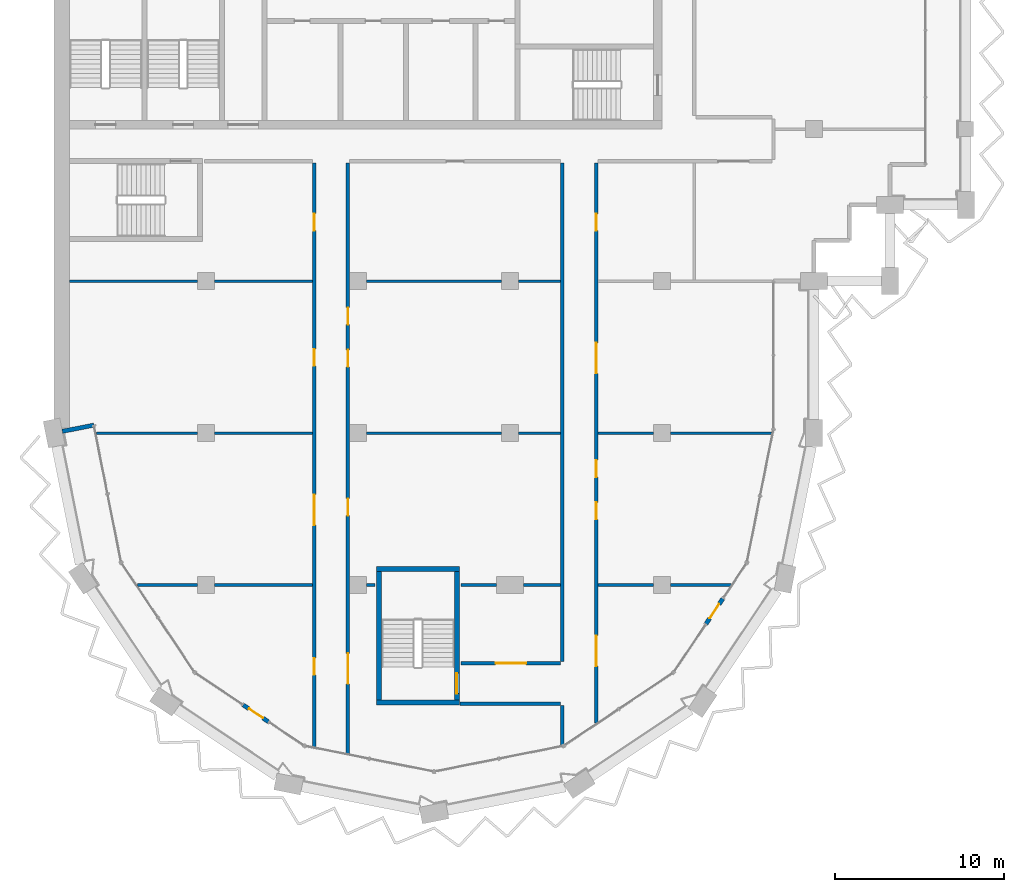
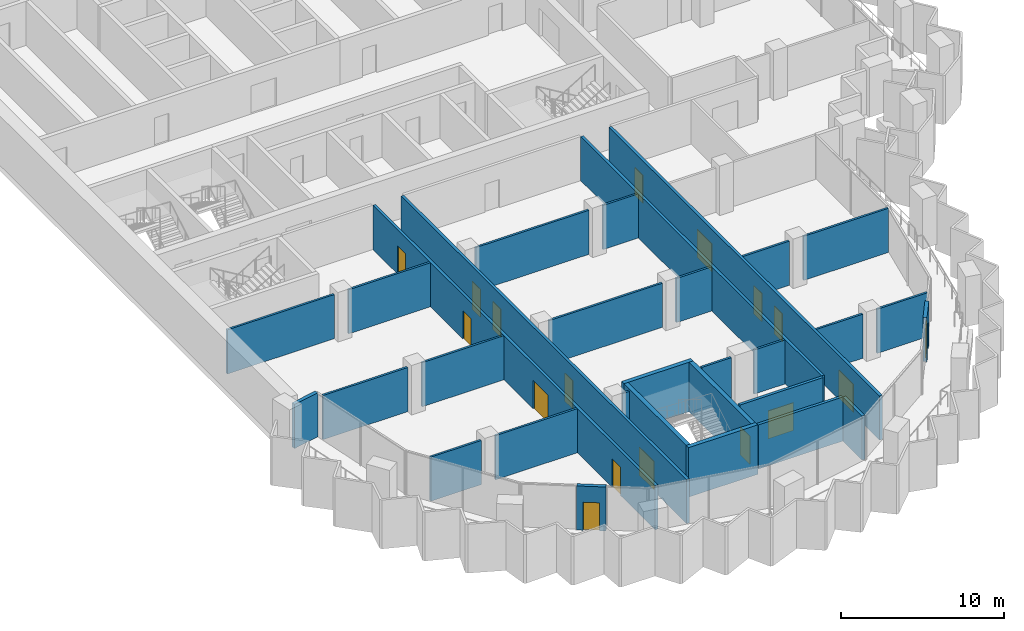
# One storey, part 7 of 16: 31 walls, 17 doors, 17 openings.
"""IFC4 building model written with IfcOpenShell, lengths in metres."""

import ifcopenshell
import ifcopenshell.guid

model = None  # the IFC model being written
_history = None  # IfcOwnerHistory: only IFC2X3 demands one
_inside = {}  # id of a spatial element -> (the spatial element, [elements in it])
_under = {}  # id of a project, library or spatial element -> (it, [spatial elements below it])
_declared = {}  # id of a project -> (the project, [libraries it declares])
_typed = {}  # id of a type object -> (the type object, [elements of that type])
_made_of = {}  # id of a material, layer set ... -> (it, [elements and type objects made of it])


def new_model(schema):
    """Start an empty IFC model of exactly this schema.

    Asked for "IFC4X3", IfcOpenShell would pick the latest addendum, in which some entities
    have other attributes; the version numbers below select the first issue.
    IFC2X3 requires an IfcOwnerHistory on every rooted entity: one is made here for all.
    """
    global model, _history
    if schema == "IFC4X3":
        model = ifcopenshell.file(schema_version=(4, 3, 0, 0))
    else:
        model = ifcopenshell.file(schema=schema)
    _inside.clear()
    _under.clear()
    _declared.clear()
    _typed.clear()
    _made_of.clear()
    _history = None
    if model.schema == "IFC2X3":
        org = make("IfcOrganization", Name="unknown")
        user = make(
            "IfcPersonAndOrganization",
            ThePerson=make("IfcPerson", FamilyName="unknown"),
            TheOrganization=org,
        )
        app = make(
            "IfcApplication",
            ApplicationDeveloper=org,
            Version="unknown",
            ApplicationFullName="unknown",
            ApplicationIdentifier="unknown",
        )
        _history = make(
            "IfcOwnerHistory",
            OwningUser=user,
            OwningApplication=app,
            ChangeAction="ADDED",
            CreationDate=0,
        )
    return model


def make(cls, **values):
    """One entity of the class cls with the attributes given. An attribute that is None is left unset."""
    return model.create_entity(
        cls, **{name: value for name, value in values.items() if value is not None}
    )


def rooted(cls, **values):
    """An entity with a GlobalId (a new one), such as an element, a storey or a relation."""
    return make(cls, GlobalId=ifcopenshell.guid.new(), OwnerHistory=_history, **values)


def si_unit(unit_type, name, prefix=None):
    """IfcSIUnit, for example si_unit("LENGTHUNIT", "METRE", prefix="MILLI")."""
    return make("IfcSIUnit", UnitType=unit_type, Prefix=prefix, Name=name)


def assignment(units):
    """IfcUnitAssignment: the units of a project."""
    return None if units is None else make("IfcUnitAssignment", Units=units)


def point(xyz):
    """IfcCartesianPoint."""
    return None if xyz is None else make("IfcCartesianPoint", Coordinates=xyz)


def direction(xyz):
    """IfcDirection."""
    return None if xyz is None else make("IfcDirection", DirectionRatios=xyz)


def frame(location, z_axis=None, x_axis=None):
    """IfcAxis2Placement3D, a coordinate frame: its origin and axes. An axis left out is left unset."""
    return make(
        "IfcAxis2Placement3D",
        Location=point(location),
        Axis=direction(z_axis),
        RefDirection=direction(x_axis),
    )


def frame_2d(location, x_axis=None):
    """IfcAxis2Placement2D, a coordinate frame in the plane: its origin and x axis."""
    return make(
        "IfcAxis2Placement2D", Location=point(location), RefDirection=direction(x_axis)
    )


def origin():
    """The frame at (0, 0, 0) with its axes left unset."""
    return frame((0.0, 0.0, 0.0))


def place(relative_to, where):
    """IfcLocalPlacement: puts the frame where relative to a parent placement (None: the world)."""
    return make(
        "IfcLocalPlacement", PlacementRelTo=relative_to, RelativePlacement=where
    )


def context(
    kind, dimensions, precision=None, world=None, true_north=None, identifier=None
):
    """IfcGeometricRepresentationContext, for example the 3D "Model" context."""
    return make(
        "IfcGeometricRepresentationContext",
        ContextIdentifier=identifier,
        ContextType=kind,
        CoordinateSpaceDimension=dimensions,
        Precision=precision,
        WorldCoordinateSystem=world,
        TrueNorth=true_north,
    )


def subcontext(parent, identifier, kind, view, scale=None):
    """IfcGeometricRepresentationSubContext, for example "Body" below "Model"."""
    return make(
        "IfcGeometricRepresentationSubContext",
        ContextIdentifier=identifier,
        ContextType=kind,
        ParentContext=parent,
        TargetScale=scale,
        TargetView=view,
    )


def project(units=None, contexts=None):
    """IfcProject with its units and contexts."""
    return rooted(
        "IfcProject",
        Name="project",
        RepresentationContexts=contexts,
        UnitsInContext=assignment(units),
    )


def spatial(cls, under=None, at=None, **own):
    """A site, building, storey or space (cls), placed at a placement, below another one or the project."""
    s = rooted(cls, ObjectPlacement=at, **own)
    if under is not None:
        _under.setdefault(under.id(), (under, []))[1].append(s)
    return s


def profile(cls, at=None, kind="AREA", **sizes):
    """A parametric profile (cls). Its sizes go by their IFC names, for example OverallWidth=200.0."""
    return make(cls, ProfileType=kind, Position=at, **sizes)


def rectangle(**sizes):
    """IfcRectangleProfileDef."""
    return profile("IfcRectangleProfileDef", **sizes)


def extrude(swept, where, along, depth):
    """IfcExtrudedAreaSolid: the profile swept, set in the frame where, extruded along a direction by depth."""
    return make(
        "IfcExtrudedAreaSolid",
        SweptArea=swept,
        Position=where,
        ExtrudedDirection=direction(along),
        Depth=depth,
    )


def shape(context_of_items, identifier, shape_type, items):
    """IfcShapeRepresentation: the items that make up one representation, for example the "Body"."""
    return make(
        "IfcShapeRepresentation",
        ContextOfItems=context_of_items,
        RepresentationIdentifier=identifier,
        RepresentationType=shape_type,
        Items=items,
    )


def material(Name=None, Category=None):
    """IfcMaterial."""
    return make("IfcMaterial", Name=Name, Category=Category)


def layer(
    of_material, thickness, ventilated=None, Name=None, Category=None, Priority=None
):
    """IfcMaterialLayer: one layer of a wall or slab, of a material (None: an air gap)."""
    return make(
        "IfcMaterialLayer",
        Material=of_material,
        LayerThickness=thickness,
        IsVentilated=ventilated,
        Name=Name,
        Category=Category,
        Priority=Priority,
    )


def layer_set(layers, Name=None):
    """IfcMaterialLayerSet."""
    return make("IfcMaterialLayerSet", MaterialLayers=layers, LayerSetName=Name)


def made_of(thing, what):
    """Note that an element or type object is made of a material, layer set ...; save() writes the relation."""
    if what is not None:
        _made_of.setdefault(what.id(), (what, []))[1].append(thing)
    return thing


def type_object(cls, material=None, **own):
    """A type object (cls), such as IfcWallType, which elements share."""
    return made_of(rooted(cls, **own), material)


def element(
    cls,
    number,
    at=None,
    inside=None,
    cuts=None,
    type_object=None,
    material=None,
    context=None,
    identifier="Body",
    shape_type=None,
    held_by="IfcProductDefinitionShape",
    body=None,
    shapes=None,
    **own,
):
    """One element of the class cls, such as IfcWall. Its Tag is "e" and its number.

    at: its placement. inside: the storey or other place that contains it. cuts: it is an
    opening in that element (IfcRelVoidsElement). A single representation is given by context,
    identifier, shape_type and body (its items); several are given by shapes. held_by: the class
    of the entity that holds the representations. save() writes the other relations.
    """
    e = rooted(cls, Tag="e%d" % number, ObjectPlacement=at, **own)
    if body is not None:
        shapes = [shape(context, identifier, shape_type, body)]
    if shapes is not None:
        e.Representation = make(held_by, Representations=shapes)
    if inside is not None:
        _inside.setdefault(inside.id(), (inside, []))[1].append(e)
    if cuts is not None:
        rooted(
            "IfcRelVoidsElement", RelatingBuildingElement=cuts, RelatedOpeningElement=e
        )
    if type_object is not None:
        _typed.setdefault(type_object.id(), (type_object, []))[1].append(e)
    return made_of(e, material)


def fill(opening, filler):
    """IfcRelFillsElement: the door or window that sits in an opening."""
    return rooted(
        "IfcRelFillsElement",
        RelatingOpeningElement=opening,
        RelatedBuildingElement=filler,
    )


def aggregate(whole, parts):
    """IfcRelAggregates: a whole, such as a stair, and the parts it consists of."""
    return rooted("IfcRelAggregates", RelatingObject=whole, RelatedObjects=parts)


def save(model, path):
    """Write the relations noted so far, then the file.

    IfcRelAggregates (storeys below a building ...), IfcRelContainedInSpatialStructure (elements
    in a storey), IfcRelDefinesByType, IfcRelAssociatesMaterial and IfcRelDeclares: one each for
    every whole, place, type object, material and project.
    """
    for whole, parts in _under.values():
        aggregate(whole, parts)
    for where, things in _inside.values():
        rooted(
            "IfcRelContainedInSpatialStructure",
            RelatedElements=things,
            RelatingStructure=where,
        )
    for kind, things in _typed.values():
        rooted("IfcRelDefinesByType", RelatedObjects=things, RelatingType=kind)
    for what, things in _made_of.values():
        rooted("IfcRelAssociatesMaterial", RelatedObjects=things, RelatingMaterial=what)
    for by, libraries in _declared.values():
        rooted("IfcRelDeclares", RelatingContext=by, RelatedDefinitions=libraries)
    model.write(path)


model = new_model("IFC4")

# Units and contexts
model_context = context("Model", 3, precision=1e-05, world=origin(), true_north=direction((0.0, 1.0)))
body_context = subcontext(model_context, "Body", "Model", "MODEL_VIEW")
ifc_project = project(units=[si_unit("LENGTHUNIT", "METRE"), si_unit("AREAUNIT", "SQUARE_METRE"), si_unit("VOLUMEUNIT", "CUBIC_METRE"), si_unit("PLANEANGLEUNIT", "RADIAN"), si_unit("MASSUNIT", "GRAM", prefix="KILO")], contexts=[model_context])

# Site, building, storey
site_placement = place(None, origin())
site = spatial("IfcSite", under=ifc_project, at=site_placement, CompositionType="ELEMENT")
building_placement = place(site_placement, origin())
building = spatial("IfcBuilding", under=site, at=building_placement, Name="Hunhe Ridgeline Campus", CompositionType="ELEMENT")
storey_placement = place(building_placement, frame((0.0, 0.0, 242.89990234375)))
storey = spatial("IfcBuildingStorey", under=building, at=storey_placement, Name="L62", CompositionType="ELEMENT", Elevation=242.89990234375)

# Walls
ifc_material_1 = material(Name="Concrete C30", Category="concrete")
ifc_layer_1 = layer(ifc_material_1, 0.25)
ifc_layer_set_1 = layer_set([ifc_layer_1], Name="Corner return wall 250 Concrete C30")
wall_type_1 = type_object("IfcWallType", Name="Corner return wall 250 Concrete C30", PredefinedType="SOLIDWALL", material=ifc_layer_set_1)
wall_1_placement = place(storey_placement, frame((0.490234375, 45.098388671875, 0.0), z_axis=(0.0, 0.0, 1.0), x_axis=(0.980836699013, 0.194831644939, 0.0)))
element("IfcWall", 1, at=wall_1_placement, inside=storey, type_object=wall_type_1, Name="Corner return wall 1", PredefinedType="SOLIDWALL", context=body_context, shape_type="SweptSolid", body=[
    extrude(rectangle(XDim=1.90087890625, YDim=0.25, at=frame_2d((0.950439453125, 0.0))), origin(), (0.0, 0.0, 1.0), 3.300048828125),
])
ifc_material_2 = material(Name="Gypsum board partition")
ifc_layer_2 = layer(ifc_material_2, 0.199951171875)
ifc_layer_set_2 = layer_set([ifc_layer_2], Name="Corridor partition 200 gypsum board on steel studs")
wall_type_2 = type_object("IfcWallType", Name="Corridor partition 200 gypsum board on steel studs", PredefinedType="PARTITIONING", material=ifc_layer_set_2)
wall_2_placement = place(storey_placement, frame((30.0, 28.97509765625, 0.0), z_axis=(0.0, 0.0, 1.0), x_axis=(-1.0, 0.0, 0.0)))
element("IfcWall", 2, at=wall_2_placement, inside=storey, type_object=wall_type_2, Name="F-L62-wall-001", PredefinedType="PARTITIONING", context=body_context, shape_type="SweptSolid", body=[
    extrude(rectangle(XDim=5.969970703125, YDim=0.199951171875, at=frame_2d((2.98486328125, 0.0))), origin(), (0.0, 0.0, 1.0), 3.300048828125),
])

# Wall, opening, door
wall_3_placement = place(storey_placement, frame((24.10400390625, 31.375, 0.0), z_axis=(0.0, 0.0, 1.0), x_axis=(1.0, 0.0, 0.0)))
wall_3 = element("IfcWall", 3, at=wall_3_placement, inside=storey, type_object=wall_type_2, Name="F-L62-wall-002", PredefinedType="PARTITIONING", context=body_context, shape_type="SweptSolid", body=[
    extrude(rectangle(XDim=5.89599609375, YDim=0.199951171875, at=frame_2d((2.947998046875, 0.0))), origin(), (0.0, 0.0, 1.0), 3.300048828125),
])
opening_1_placement = place(wall_3_placement, frame((2.048095703125, 0.0, 0.0)))
opening_1 = element("IfcOpeningElement", 4, at=opening_1_placement, cuts=wall_3, Name="Opening RD2-003", PredefinedType="OPENING", context=body_context, shape_type="SweptSolid", body=[
    extrude(rectangle(XDim=1.800048828125, YDim=2.10009765625, at=frame_2d((0.89990234375, 1.050048828125))), frame((0.0, 0.10009765625, 0.0), z_axis=(0.0, -1.0, 0.0), x_axis=(1.0, 0.0, 0.0)), (0.0, 0.0, 1.0), 0.199951171875),
])
ifc_material_3 = material(Name="Timber door leaf", Category="wood")
door_type_1 = type_object("IfcDoorType", Name="Double fire door 1800x2100 timber FD60", OperationType="DOUBLE_DOOR_SINGLE_SWING", PredefinedType="DOOR", material=ifc_material_3)
door_1_placement = place(opening_1_placement, origin())
door_1 = element("IfcDoor", 5, at=door_1_placement, inside=storey, type_object=door_type_1, Name="F-L62-door-003", OperationType="DOUBLE_DOOR_SINGLE_SWING", OverallHeight=2.10009765625, OverallWidth=1.800048828125, PredefinedType="DOOR", context=body_context, shape_type="SweptSolid", body=[
    extrude(rectangle(XDim=1.800048828125, YDim=2.10009765625, at=frame_2d((0.89990234375, 1.050048828125))), frame((0.0, 0.02490234375, 0.0), z_axis=(0.0, -1.0, 0.0), x_axis=(1.0, 0.0, 0.0)), (0.0, 0.0, 1.0), 0.050048828125),
])
fill(opening_1, door_1)

# Wall, openings, doors
wall_4_placement = place(storey_placement, frame((15.39990234375, 26.415283203125, 0.0), z_axis=(0.0, 0.0, 1.0), x_axis=(0.0, 1.0, 0.0)))
wall_4 = element("IfcWall", 6, at=wall_4_placement, inside=storey, type_object=wall_type_2, Name="F-L62-wall-033", PredefinedType="PARTITIONING", context=body_context, shape_type="SweptSolid", body=[
    extrude(rectangle(XDim=34.584716796875, YDim=0.199951171875, at=frame_2d((17.29248046875, 0.0))), origin(), (0.0, 0.0, 1.0), 3.300048828125),
])
opening_2_placement = place(wall_4_placement, frame((4.26171875, 0.0, 0.0)))
opening_2 = element("IfcOpeningElement", 7, at=opening_2_placement, cuts=wall_4, Name="Opening RD1-002", PredefinedType="OPENING", context=body_context, shape_type="SweptSolid", body=[
    extrude(rectangle(XDim=1.0, YDim=2.10009765625, at=frame_2d((0.5, 1.050048828125))), frame((0.0, 0.10009765625, 0.0), z_axis=(0.0, -1.0, 0.0), x_axis=(1.0, 0.0, 0.0)), (0.0, 0.0, 1.0), 0.199951171875),
])
opening_3_placement = place(wall_4_placement, frame((13.13427734375, 0.0, 0.0)))
opening_3 = element("IfcOpeningElement", 8, at=opening_3_placement, cuts=wall_4, Name="Opening RD2-005", PredefinedType="OPENING", context=body_context, shape_type="SweptSolid", body=[
    extrude(rectangle(XDim=1.800048828125, YDim=2.10009765625, at=frame_2d((0.89990234375, 1.050048828125))), frame((0.0, 0.10009765625, 0.0), z_axis=(0.0, -1.0, 0.0), x_axis=(1.0, 0.0, 0.0)), (0.0, 0.0, 1.0), 0.199951171875),
])
opening_4_placement = place(wall_4_placement, frame((22.556396484375, 0.0, 0.0)))
opening_4 = element("IfcOpeningElement", 9, at=opening_4_placement, cuts=wall_4, Name="Opening RD1-011", PredefinedType="OPENING", context=body_context, shape_type="SweptSolid", body=[
    extrude(rectangle(XDim=1.0, YDim=2.10009765625, at=frame_2d((0.5, 1.050048828125))), frame((0.0, 0.10009765625, 0.0), z_axis=(0.0, -1.0, 0.0), x_axis=(1.0, 0.0, 0.0)), (0.0, 0.0, 1.0), 0.199951171875),
])
opening_5_placement = place(wall_4_placement, frame((30.575927734375, 0.0, 0.0)))
opening_5 = element("IfcOpeningElement", 10, at=opening_5_placement, cuts=wall_4, Name="Opening RD1-013", PredefinedType="OPENING", context=body_context, shape_type="SweptSolid", body=[
    extrude(rectangle(XDim=1.0, YDim=2.10009765625, at=frame_2d((0.5, 1.050048828125))), frame((0.0, 0.10009765625, 0.0), z_axis=(0.0, -1.0, 0.0), x_axis=(1.0, 0.0, 0.0)), (0.0, 0.0, 1.0), 0.199951171875),
])
door_2_placement = place(opening_3_placement, origin())
door_2 = element("IfcDoor", 11, at=door_2_placement, inside=storey, type_object=door_type_1, Name="F-L62-door-005", OperationType="DOUBLE_DOOR_SINGLE_SWING", OverallHeight=2.10009765625, OverallWidth=1.800048828125, PredefinedType="DOOR", context=body_context, shape_type="SweptSolid", body=[
    extrude(rectangle(XDim=1.800048828125, YDim=2.10009765625, at=frame_2d((0.89990234375, 1.050048828125))), frame((0.0, 0.02490234375, 0.0), z_axis=(0.0, -1.0, 0.0), x_axis=(1.0, 0.0, 0.0)), (0.0, 0.0, 1.0), 0.050048828125),
])
fill(opening_3, door_2)
door_type_2 = type_object("IfcDoorType", Name="Single fire door 1000x2100 timber FD60", OperationType="NOTDEFINED", PredefinedType="DOOR", material=ifc_material_3)
door_3_placement = place(opening_2_placement, origin())
door_3 = element("IfcDoor", 12, at=door_3_placement, inside=storey, type_object=door_type_2, Name="F-L62-door-002", OperationType="SINGLE_SWING_RIGHT", OverallHeight=2.10009765625, OverallWidth=1.0, PredefinedType="DOOR", context=body_context, shape_type="SweptSolid", body=[
    extrude(rectangle(XDim=1.0, YDim=2.10009765625, at=frame_2d((0.5, 1.050048828125))), frame((0.0, 0.02490234375, 0.0), z_axis=(0.0, -1.0, 0.0), x_axis=(1.0, 0.0, 0.0)), (0.0, 0.0, 1.0), 0.050048828125),
])
fill(opening_2, door_3)
door_4_placement = place(opening_4_placement, origin())
door_4 = element("IfcDoor", 13, at=door_4_placement, inside=storey, type_object=door_type_2, Name="F-L62-door-011", OperationType="SINGLE_SWING_RIGHT", OverallHeight=2.10009765625, OverallWidth=1.0, PredefinedType="DOOR", context=body_context, shape_type="SweptSolid", body=[
    extrude(rectangle(XDim=1.0, YDim=2.10009765625, at=frame_2d((0.5, 1.050048828125))), frame((0.0, 0.02490234375, 0.0), z_axis=(0.0, -1.0, 0.0), x_axis=(1.0, 0.0, 0.0)), (0.0, 0.0, 1.0), 0.050048828125),
])
fill(opening_4, door_4)
door_5_placement = place(opening_5_placement, origin())
door_5 = element("IfcDoor", 14, at=door_5_placement, inside=storey, type_object=door_type_2, Name="F-L62-door-013", OperationType="SINGLE_SWING_RIGHT", OverallHeight=2.10009765625, OverallWidth=1.0, PredefinedType="DOOR", context=body_context, shape_type="SweptSolid", body=[
    extrude(rectangle(XDim=1.0, YDim=2.10009765625, at=frame_2d((0.5, 1.050048828125))), frame((0.0, 0.02490234375, 0.0), z_axis=(0.0, -1.0, 0.0), x_axis=(1.0, 0.0, 0.0)), (0.0, 0.0, 1.0), 0.050048828125),
])
fill(opening_5, door_5)

wall_5_placement = place(storey_placement, frame((17.39990234375, 61.0, 0.0), z_axis=(0.0, 0.0, 1.0), x_axis=(0.0, -1.0, 0.0)))
wall_5 = element("IfcWall", 15, at=wall_5_placement, inside=storey, type_object=wall_type_2, Name="F-L62-wall-034", PredefinedType="PARTITIONING", context=body_context, shape_type="SweptSolid", body=[
    extrude(rectangle(XDim=34.982421875, YDim=0.199951171875, at=frame_2d((17.4912109375, 0.0))), origin(), (0.0, 0.0, 1.0), 3.300048828125),
])
opening_6_placement = place(wall_5_placement, frame((29.049072265625, 0.0, 0.0)))
opening_6 = element("IfcOpeningElement", 16, at=opening_6_placement, cuts=wall_5, Name="Opening RD2-001", PredefinedType="OPENING", context=body_context, shape_type="SweptSolid", body=[
    extrude(rectangle(XDim=1.800048828125, YDim=2.10009765625, at=frame_2d((0.89990234375, 1.050048828125))), frame((0.0, 0.10009765625, 0.0), z_axis=(0.0, -1.0, 0.0), x_axis=(1.0, 0.0, 0.0)), (0.0, 0.0, 1.0), 0.199951171875),
])
opening_7_placement = place(wall_5_placement, frame((19.885498046875, 0.0, 0.0)))
opening_7 = element("IfcOpeningElement", 17, at=opening_7_placement, cuts=wall_5, Name="Opening RD1-007", PredefinedType="OPENING", context=body_context, shape_type="SweptSolid", body=[
    extrude(rectangle(XDim=1.0, YDim=2.10009765625, at=frame_2d((0.5, 1.050048828125))), frame((0.0, 0.10009765625, 0.0), z_axis=(0.0, -1.0, 0.0), x_axis=(1.0, 0.0, 0.0)), (0.0, 0.0, 1.0), 0.199951171875),
])
opening_8_placement = place(wall_5_placement, frame((11.076904296875, 0.0, 0.0)))
opening_8 = element("IfcOpeningElement", 18, at=opening_8_placement, cuts=wall_5, Name="Opening RD1-009", PredefinedType="OPENING", context=body_context, shape_type="SweptSolid", body=[
    extrude(rectangle(XDim=1.0, YDim=2.10009765625, at=frame_2d((0.5, 1.050048828125))), frame((0.0, 0.10009765625, 0.0), z_axis=(0.0, -1.0, 0.0), x_axis=(1.0, 0.0, 0.0)), (0.0, 0.0, 1.0), 0.199951171875),
])
opening_9_placement = place(wall_5_placement, frame((8.576904296875, 0.0, 0.0)))
opening_9 = element("IfcOpeningElement", 19, at=opening_9_placement, cuts=wall_5, Name="Opening RD1-012", PredefinedType="OPENING", context=body_context, shape_type="SweptSolid", body=[
    extrude(rectangle(XDim=1.0, YDim=2.10009765625, at=frame_2d((0.5, 1.050048828125))), frame((0.0, 0.10009765625, 0.0), z_axis=(0.0, -1.0, 0.0), x_axis=(1.0, 0.0, 0.0)), (0.0, 0.0, 1.0), 0.199951171875),
])
door_6_placement = place(opening_6_placement, origin())
door_6 = element("IfcDoor", 20, at=door_6_placement, inside=storey, type_object=door_type_1, Name="F-L62-door-001", OperationType="DOUBLE_DOOR_SINGLE_SWING", OverallHeight=2.10009765625, OverallWidth=1.800048828125, PredefinedType="DOOR", context=body_context, shape_type="SweptSolid", body=[
    extrude(rectangle(XDim=1.800048828125, YDim=2.10009765625, at=frame_2d((0.89990234375, 1.050048828125))), frame((0.0, 0.02490234375, 0.0), z_axis=(0.0, -1.0, 0.0), x_axis=(1.0, 0.0, 0.0)), (0.0, 0.0, 1.0), 0.050048828125),
])
fill(opening_6, door_6)
door_7_placement = place(opening_7_placement, origin())
door_7 = element("IfcDoor", 21, at=door_7_placement, inside=storey, type_object=door_type_2, Name="F-L62-door-007", OperationType="SINGLE_SWING_RIGHT", OverallHeight=2.10009765625, OverallWidth=1.0, PredefinedType="DOOR", context=body_context, shape_type="SweptSolid", body=[
    extrude(rectangle(XDim=1.0, YDim=2.10009765625, at=frame_2d((0.5, 1.050048828125))), frame((0.0, 0.02490234375, 0.0), z_axis=(0.0, -1.0, 0.0), x_axis=(1.0, 0.0, 0.0)), (0.0, 0.0, 1.0), 0.050048828125),
])
fill(opening_7, door_7)
door_8_placement = place(opening_8_placement, frame((1.0, 0.0, 0.0), z_axis=(0.0, 0.0, 1.0), x_axis=(-1.0, 0.0, 0.0)))
door_8 = element("IfcDoor", 22, at=door_8_placement, inside=storey, type_object=door_type_2, Name="F-L62-door-009", OperationType="SINGLE_SWING_RIGHT", OverallHeight=2.10009765625, OverallWidth=1.0, PredefinedType="DOOR", context=body_context, shape_type="SweptSolid", body=[
    extrude(rectangle(XDim=1.0, YDim=2.10009765625, at=frame_2d((0.5, 1.050048828125))), frame((0.0, 0.02490234375, 0.0), z_axis=(0.0, -1.0, 0.0), x_axis=(1.0, 0.0, 0.0)), (0.0, 0.0, 1.0), 0.050048828125),
])
fill(opening_8, door_8)
door_9_placement = place(opening_9_placement, frame((1.0, 0.0, 0.0), z_axis=(0.0, 0.0, 1.0), x_axis=(-1.0, 0.0, 0.0)))
door_9 = element("IfcDoor", 23, at=door_9_placement, inside=storey, type_object=door_type_2, Name="F-L62-door-012", OperationType="SINGLE_SWING_RIGHT", OverallHeight=2.10009765625, OverallWidth=1.0, PredefinedType="DOOR", context=body_context, shape_type="SweptSolid", body=[
    extrude(rectangle(XDim=1.0, YDim=2.10009765625, at=frame_2d((0.5, 1.050048828125))), frame((0.0, 0.02490234375, 0.0), z_axis=(0.0, -1.0, 0.0), x_axis=(1.0, 0.0, 0.0)), (0.0, 0.0, 1.0), 0.050048828125),
])
fill(opening_9, door_9)

# Walls
wall_6_placement = place(storey_placement, frame((30.10009765625, 26.514892578125, 0.0), z_axis=(0.0, 0.0, 1.0), x_axis=(0.0, 1.0, 0.0)))
element("IfcWall", 24, at=wall_6_placement, inside=storey, type_object=wall_type_2, Name="F-L62-wall-035", PredefinedType="PARTITIONING", context=body_context, shape_type="SweptSolid", body=[
    extrude(rectangle(XDim=2.360107421875, YDim=0.199951171875, at=frame_2d((1.18017578125, 0.0))), origin(), (0.0, 0.0, 1.0), 3.300048828125),
])
wall_7_placement = place(storey_placement, frame((30.10009765625, 31.47509765625, 0.0), z_axis=(0.0, 0.0, 1.0), x_axis=(0.0, 1.0, 0.0)))
element("IfcWall", 25, at=wall_7_placement, inside=storey, type_object=wall_type_2, Name="F-L62-wall-036", PredefinedType="PARTITIONING", context=body_context, shape_type="SweptSolid", body=[
    extrude(rectangle(XDim=29.52490234375, YDim=0.199951171875, at=frame_2d((14.762451171875, 0.0))), origin(), (0.0, 0.0, 1.0), 3.300048828125),
])

# Wall, openings, doors
wall_8_placement = place(storey_placement, frame((32.10009765625, 61.0, 0.0), z_axis=(0.0, 0.0, 1.0), x_axis=(0.0, -1.0, 0.0)))
wall_8 = element("IfcWall", 26, at=wall_8_placement, inside=storey, type_object=wall_type_2, Name="F-L62-wall-037", PredefinedType="PARTITIONING", context=body_context, shape_type="SweptSolid", body=[
    extrude(rectangle(XDim=33.17333984375, YDim=0.199951171875, at=frame_2d((16.586669921875, 0.0))), origin(), (0.0, 0.0, 1.0), 3.300048828125),
])
opening_10_placement = place(wall_8_placement, frame((28.001220703125, 0.0, 0.0)))
opening_10 = element("IfcOpeningElement", 27, at=opening_10_placement, cuts=wall_8, Name="Opening RD2-004", PredefinedType="OPENING", context=body_context, shape_type="SweptSolid", body=[
    extrude(rectangle(XDim=1.800048828125, YDim=2.10009765625, at=frame_2d((0.89990234375, 1.050048828125))), frame((0.0, 0.10009765625, 0.0), z_axis=(0.0, -1.0, 0.0), x_axis=(1.0, 0.0, 0.0)), (0.0, 0.0, 1.0), 0.199951171875),
])
opening_11_placement = place(wall_8_placement, frame((20.107666015625, 0.0, 0.0)))
opening_11 = element("IfcOpeningElement", 28, at=opening_11_placement, cuts=wall_8, Name="Opening RD1-006", PredefinedType="OPENING", context=body_context, shape_type="SweptSolid", body=[
    extrude(rectangle(XDim=1.0, YDim=2.10009765625, at=frame_2d((0.5, 1.050048828125))), frame((0.0, 0.10009765625, 0.0), z_axis=(0.0, -1.0, 0.0), x_axis=(1.0, 0.0, 0.0)), (0.0, 0.0, 1.0), 0.199951171875),
])
opening_12_placement = place(wall_8_placement, frame((17.607666015625, 0.0, 0.0)))
opening_12 = element("IfcOpeningElement", 29, at=opening_12_placement, cuts=wall_8, Name="Opening RD1-008", PredefinedType="OPENING", context=body_context, shape_type="SweptSolid", body=[
    extrude(rectangle(XDim=1.0, YDim=2.10009765625, at=frame_2d((0.5, 1.050048828125))), frame((0.0, 0.10009765625, 0.0), z_axis=(0.0, -1.0, 0.0), x_axis=(1.0, 0.0, 0.0)), (0.0, 0.0, 1.0), 0.199951171875),
])
opening_13_placement = place(wall_8_placement, frame((10.660400390625, 0.0, 0.0)))
opening_13 = element("IfcOpeningElement", 30, at=opening_13_placement, cuts=wall_8, Name="Opening RD2-010", PredefinedType="OPENING", context=body_context, shape_type="SweptSolid", body=[
    extrude(rectangle(XDim=1.800048828125, YDim=2.10009765625, at=frame_2d((0.89990234375, 1.050048828125))), frame((0.0, 0.10009765625, 0.0), z_axis=(0.0, -1.0, 0.0), x_axis=(1.0, 0.0, 0.0)), (0.0, 0.0, 1.0), 0.199951171875),
])
opening_14_placement = place(wall_8_placement, frame((3.018310546875, 0.0, 0.0)))
opening_14 = element("IfcOpeningElement", 31, at=opening_14_placement, cuts=wall_8, Name="Opening RD1-014", PredefinedType="OPENING", context=body_context, shape_type="SweptSolid", body=[
    extrude(rectangle(XDim=1.0, YDim=2.10009765625, at=frame_2d((0.5, 1.050048828125))), frame((0.0, 0.10009765625, 0.0), z_axis=(0.0, -1.0, 0.0), x_axis=(1.0, 0.0, 0.0)), (0.0, 0.0, 1.0), 0.199951171875),
])
door_10_placement = place(opening_10_placement, origin())
door_10 = element("IfcDoor", 32, at=door_10_placement, inside=storey, type_object=door_type_1, Name="F-L62-door-004", OperationType="DOUBLE_DOOR_SINGLE_SWING", OverallHeight=2.10009765625, OverallWidth=1.800048828125, PredefinedType="DOOR", context=body_context, shape_type="SweptSolid", body=[
    extrude(rectangle(XDim=1.800048828125, YDim=2.10009765625, at=frame_2d((0.89990234375, 1.050048828125))), frame((0.0, 0.02490234375, 0.0), z_axis=(0.0, -1.0, 0.0), x_axis=(1.0, 0.0, 0.0)), (0.0, 0.0, 1.0), 0.050048828125),
])
fill(opening_10, door_10)
door_11_placement = place(opening_13_placement, origin())
door_11 = element("IfcDoor", 33, at=door_11_placement, inside=storey, type_object=door_type_1, Name="F-L62-door-010", OperationType="DOUBLE_DOOR_SINGLE_SWING", OverallHeight=2.10009765625, OverallWidth=1.800048828125, PredefinedType="DOOR", context=body_context, shape_type="SweptSolid", body=[
    extrude(rectangle(XDim=1.800048828125, YDim=2.10009765625, at=frame_2d((0.89990234375, 1.050048828125))), frame((0.0, 0.02490234375, 0.0), z_axis=(0.0, -1.0, 0.0), x_axis=(1.0, 0.0, 0.0)), (0.0, 0.0, 1.0), 0.050048828125),
])
fill(opening_13, door_11)
door_12_placement = place(opening_11_placement, frame((1.0, 0.0, 0.0), z_axis=(0.0, 0.0, 1.0), x_axis=(-1.0, 0.0, 0.0)))
door_12 = element("IfcDoor", 34, at=door_12_placement, inside=storey, type_object=door_type_2, Name="F-L62-door-006", OperationType="SINGLE_SWING_RIGHT", OverallHeight=2.10009765625, OverallWidth=1.0, PredefinedType="DOOR", context=body_context, shape_type="SweptSolid", body=[
    extrude(rectangle(XDim=1.0, YDim=2.10009765625, at=frame_2d((0.5, 1.050048828125))), frame((0.0, 0.02490234375, 0.0), z_axis=(0.0, -1.0, 0.0), x_axis=(1.0, 0.0, 0.0)), (0.0, 0.0, 1.0), 0.050048828125),
])
fill(opening_11, door_12)
door_13_placement = place(opening_12_placement, frame((1.0, 0.0, 0.0), z_axis=(0.0, 0.0, 1.0), x_axis=(-1.0, 0.0, 0.0)))
door_13 = element("IfcDoor", 35, at=door_13_placement, inside=storey, type_object=door_type_2, Name="F-L62-door-008", OperationType="SINGLE_SWING_RIGHT", OverallHeight=2.10009765625, OverallWidth=1.0, PredefinedType="DOOR", context=body_context, shape_type="SweptSolid", body=[
    extrude(rectangle(XDim=1.0, YDim=2.10009765625, at=frame_2d((0.5, 1.050048828125))), frame((0.0, 0.02490234375, 0.0), z_axis=(0.0, -1.0, 0.0), x_axis=(1.0, 0.0, 0.0)), (0.0, 0.0, 1.0), 0.050048828125),
])
fill(opening_12, door_13)
door_14_placement = place(opening_14_placement, origin())
door_14 = element("IfcDoor", 36, at=door_14_placement, inside=storey, type_object=door_type_2, Name="F-L62-door-014", OperationType="SINGLE_SWING_RIGHT", OverallHeight=2.10009765625, OverallWidth=1.0, PredefinedType="DOOR", context=body_context, shape_type="SweptSolid", body=[
    extrude(rectangle(XDim=1.0, YDim=2.10009765625, at=frame_2d((0.5, 1.050048828125))), frame((0.0, 0.02490234375, 0.0), z_axis=(0.0, -1.0, 0.0), x_axis=(1.0, 0.0, 0.0)), (0.0, 0.0, 1.0), 0.050048828125),
])
fill(opening_14, door_14)

# Wall, opening, door
ifc_layer_3 = layer(ifc_material_1, 0.25)
ifc_layer_set_3 = layer_set([ifc_layer_3], Name="Loggia door pier wall 250 Concrete C30")
wall_type_3 = type_object("IfcWallType", Name="Loggia door pier wall 250 Concrete C30", PredefinedType="SOLIDWALL", material=ifc_layer_set_3)
wall_9_placement = place(storey_placement, frame((11.19970703125, 28.897705078125, 0.0), z_axis=(0.0, 0.0, 1.0), x_axis=(0.83146554274, -0.555576323502, 0.0)))
wall_9 = element("IfcWall", 37, at=wall_9_placement, inside=storey, type_object=wall_type_3, Name="Loggia door pier 1", PredefinedType="SOLIDWALL", context=body_context, shape_type="SweptSolid", body=[
    extrude(rectangle(XDim=1.800048828125, YDim=0.25, at=frame_2d((0.89990234375, 0.0))), origin(), (0.0, 0.0, 1.0), 3.300048828125),
])
opening_15_placement = place(wall_9_placement, frame((0.39990234375, 0.0, 0.0)))
opening_15 = element("IfcOpeningElement", 38, at=opening_15_placement, cuts=wall_9, Name="Opening BD502", PredefinedType="OPENING", context=body_context, shape_type="SweptSolid", body=[
    extrude(rectangle(XDim=1.0, YDim=2.10009765625, at=frame_2d((0.5, 1.050048828125))), frame((0.0, 0.125, 0.0), z_axis=(0.0, -1.0, 0.0), x_axis=(1.0, 0.0, 0.0)), (0.0, 0.0, 1.0), 0.25),
])
ifc_material_4 = material(Name="Aluminium 6063", Category="aluminium")
door_type_3 = type_object("IfcDoorType", Name="Loggia glazed door 1000x2100", OperationType="NOTDEFINED", PredefinedType="DOOR", material=ifc_material_4)
door_15_placement = place(opening_15_placement, frame((1.0, 0.0, 0.0), z_axis=(0.0, 0.0, 1.0), x_axis=(-1.0, 0.0, 0.0)))
door_15 = element("IfcDoor", 39, at=door_15_placement, inside=storey, type_object=door_type_3, Name="Loggia door BD502", OperationType="SINGLE_SWING_LEFT", OverallHeight=2.10009765625, OverallWidth=1.0, PredefinedType="DOOR", context=body_context, shape_type="SweptSolid", body=[
    extrude(rectangle(XDim=1.0, YDim=2.10009765625, at=frame_2d((0.5, 1.050048828125))), frame((0.0, 0.02490234375, 0.0), z_axis=(0.0, -1.0, 0.0), x_axis=(1.0, 0.0, 0.0)), (0.0, 0.0, 1.0), 0.050048828125),
])
fill(opening_15, door_15)

wall_10_placement = place(storey_placement, frame((38.602294921875, 33.69970703125, 0.0), z_axis=(0.0, 0.0, 1.0), x_axis=(0.555576323502, 0.83146554274, 0.0)))
wall_10 = element("IfcWall", 40, at=wall_10_placement, inside=storey, type_object=wall_type_3, Name="Loggia door pier 2", PredefinedType="SOLIDWALL", context=body_context, shape_type="SweptSolid", body=[
    extrude(rectangle(XDim=1.800048828125, YDim=0.25, at=frame_2d((0.89990234375, 0.0))), origin(), (0.0, 0.0, 1.0), 3.300048828125),
])
opening_16_placement = place(wall_10_placement, frame((0.39990234375, 0.0, 0.0)))
opening_16 = element("IfcOpeningElement", 41, at=opening_16_placement, cuts=wall_10, Name="Opening BD504", PredefinedType="OPENING", context=body_context, shape_type="SweptSolid", body=[
    extrude(rectangle(XDim=1.0, YDim=2.10009765625, at=frame_2d((0.5, 1.050048828125))), frame((0.0, 0.125, 0.0), z_axis=(0.0, -1.0, 0.0), x_axis=(1.0, 0.0, 0.0)), (0.0, 0.0, 1.0), 0.25),
])
door_16_placement = place(opening_16_placement, frame((1.0, 0.0, 0.0), z_axis=(0.0, 0.0, 1.0), x_axis=(-1.0, 0.0, 0.0)))
door_16 = element("IfcDoor", 42, at=door_16_placement, inside=storey, type_object=door_type_3, Name="Loggia door BD504", OperationType="SINGLE_SWING_LEFT", OverallHeight=2.10009765625, OverallWidth=1.0, PredefinedType="DOOR", context=body_context, shape_type="SweptSolid", body=[
    extrude(rectangle(XDim=1.0, YDim=2.10009765625, at=frame_2d((0.5, 1.050048828125))), frame((0.0, 0.02490234375, 0.0), z_axis=(0.0, -1.0, 0.0), x_axis=(1.0, 0.0, 0.0)), (0.0, 0.0, 1.0), 0.050048828125),
])
fill(opening_16, door_16)

# Walls
ifc_layer_4 = layer(ifc_material_2, 0.14990234375)
ifc_layer_set_4 = layer_set([ifc_layer_4], Name="Room partition 150 gypsum board on steel studs")
wall_type_4 = type_object("IfcWallType", Name="Room partition 150 gypsum board on steel studs", PredefinedType="PARTITIONING", material=ifc_layer_set_4)
wall_11_placement = place(storey_placement, frame((4.925537109375, 36.0, 0.0), z_axis=(0.0, 0.0, 1.0), x_axis=(1.0, 0.0, 0.0)))
element("IfcWall", 43, at=wall_11_placement, inside=storey, type_object=wall_type_4, Name="F-L62-wall-003", PredefinedType="PARTITIONING", context=body_context, shape_type="SweptSolid", body=[
    extrude(rectangle(XDim=3.574462890625, YDim=0.14990234375, at=frame_2d((1.787109375, 0.0))), origin(), (0.0, 0.0, 1.0), 3.300048828125),
])
wall_12_placement = place(storey_placement, frame((9.5, 36.0, 0.0), z_axis=(0.0, 0.0, 1.0), x_axis=(1.0, 0.0, 0.0)))
element("IfcWall", 44, at=wall_12_placement, inside=storey, type_object=wall_type_4, Name="F-L62-wall-004", PredefinedType="PARTITIONING", context=body_context, shape_type="SweptSolid", body=[
    extrude(rectangle(XDim=5.800048828125, YDim=0.14990234375, at=frame_2d((2.89990234375, 0.0))), origin(), (0.0, 0.0, 1.0), 3.300048828125),
])
wall_13_placement = place(storey_placement, frame((18.5, 36.0, 0.0), z_axis=(0.0, 0.0, 1.0), x_axis=(1.0, 0.0, 0.0)))
element("IfcWall", 45, at=wall_13_placement, inside=storey, type_object=wall_type_4, Name="F-L62-wall-005", PredefinedType="PARTITIONING", context=body_context, shape_type="SweptSolid", body=[
    extrude(rectangle(XDim=0.49609375, YDim=0.14990234375, at=frame_2d((0.248046875, 0.0))), origin(), (0.0, 0.0, 1.0), 3.300048828125),
])
wall_14_placement = place(storey_placement, frame((24.10400390625, 36.0, 0.0), z_axis=(0.0, 0.0, 1.0), x_axis=(1.0, 0.0, 0.0)))
element("IfcWall", 46, at=wall_14_placement, inside=storey, type_object=wall_type_4, Name="F-L62-wall-006", PredefinedType="PARTITIONING", context=body_context, shape_type="SweptSolid", body=[
    extrude(rectangle(XDim=2.095947265625, YDim=0.14990234375, at=frame_2d((1.0478515625, 0.0))), origin(), (0.0, 0.0, 1.0), 3.300048828125),
])
wall_15_placement = place(storey_placement, frame((27.800048828125, 36.0, 0.0), z_axis=(0.0, 0.0, 1.0), x_axis=(1.0, 0.0, 0.0)))
element("IfcWall", 47, at=wall_15_placement, inside=storey, type_object=wall_type_4, Name="F-L62-wall-007", PredefinedType="PARTITIONING", context=body_context, shape_type="SweptSolid", body=[
    extrude(rectangle(XDim=2.199951171875, YDim=0.14990234375, at=frame_2d((1.10009765625, 0.0))), origin(), (0.0, 0.0, 1.0), 3.300048828125),
])
wall_16_placement = place(storey_placement, frame((32.199951171875, 36.0, 0.0), z_axis=(0.0, 0.0, 1.0), x_axis=(1.0, 0.0, 0.0)))
element("IfcWall", 48, at=wall_16_placement, inside=storey, type_object=wall_type_4, Name="F-L62-wall-008", PredefinedType="PARTITIONING", context=body_context, shape_type="SweptSolid", body=[
    extrude(rectangle(XDim=3.300048828125, YDim=0.14990234375, at=frame_2d((1.64990234375, 0.0))), origin(), (0.0, 0.0, 1.0), 3.300048828125),
])
wall_17_placement = place(storey_placement, frame((36.5, 36.0, 0.0), z_axis=(0.0, 0.0, 1.0), x_axis=(1.0, 0.0, 0.0)))
element("IfcWall", 49, at=wall_17_placement, inside=storey, type_object=wall_type_4, Name="F-L62-wall-009", PredefinedType="PARTITIONING", context=body_context, shape_type="SweptSolid", body=[
    extrude(rectangle(XDim=3.574462890625, YDim=0.14990234375, at=frame_2d((1.787109375, 0.0))), origin(), (0.0, 0.0, 1.0), 3.300048828125),
])
wall_18_placement = place(storey_placement, frame((2.503173828125, 45.0, 0.0), z_axis=(0.0, 0.0, 1.0), x_axis=(1.0, 0.0, 0.0)))
element("IfcWall", 50, at=wall_18_placement, inside=storey, type_object=wall_type_4, Name="F-L62-wall-010", PredefinedType="PARTITIONING", context=body_context, shape_type="SweptSolid", body=[
    extrude(rectangle(XDim=5.996826171875, YDim=0.14990234375, at=frame_2d((2.99853515625, 0.0))), origin(), (0.0, 0.0, 1.0), 3.300048828125),
])
wall_19_placement = place(storey_placement, frame((9.5, 45.0, 0.0), z_axis=(0.0, 0.0, 1.0), x_axis=(1.0, 0.0, 0.0)))
element("IfcWall", 51, at=wall_19_placement, inside=storey, type_object=wall_type_4, Name="F-L62-wall-011", PredefinedType="PARTITIONING", context=body_context, shape_type="SweptSolid", body=[
    extrude(rectangle(XDim=5.800048828125, YDim=0.14990234375, at=frame_2d((2.89990234375, 0.0))), origin(), (0.0, 0.0, 1.0), 3.300048828125),
])
wall_20_placement = place(storey_placement, frame((18.5, 45.0, 0.0), z_axis=(0.0, 0.0, 1.0), x_axis=(1.0, 0.0, 0.0)))
element("IfcWall", 52, at=wall_20_placement, inside=storey, type_object=wall_type_4, Name="F-L62-wall-012", PredefinedType="PARTITIONING", context=body_context, shape_type="SweptSolid", body=[
    extrude(rectangle(XDim=8.0, YDim=0.14990234375, at=frame_2d((4.0, 0.0))), origin(), (0.0, 0.0, 1.0), 3.300048828125),
])
wall_21_placement = place(storey_placement, frame((27.5, 45.0, 0.0), z_axis=(0.0, 0.0, 1.0), x_axis=(1.0, 0.0, 0.0)))
element("IfcWall", 53, at=wall_21_placement, inside=storey, type_object=wall_type_4, Name="F-L62-wall-013", PredefinedType="PARTITIONING", context=body_context, shape_type="SweptSolid", body=[
    extrude(rectangle(XDim=2.5, YDim=0.14990234375, at=frame_2d((1.25, 0.0))), origin(), (0.0, 0.0, 1.0), 3.300048828125),
])
wall_22_placement = place(storey_placement, frame((32.199951171875, 45.0, 0.0), z_axis=(0.0, 0.0, 1.0), x_axis=(1.0, 0.0, 0.0)))
element("IfcWall", 54, at=wall_22_placement, inside=storey, type_object=wall_type_4, Name="F-L62-wall-014", PredefinedType="PARTITIONING", context=body_context, shape_type="SweptSolid", body=[
    extrude(rectangle(XDim=3.300048828125, YDim=0.14990234375, at=frame_2d((1.64990234375, 0.0))), origin(), (0.0, 0.0, 1.0), 3.300048828125),
])
wall_23_placement = place(storey_placement, frame((36.5, 45.0, 0.0), z_axis=(0.0, 0.0, 1.0), x_axis=(1.0, 0.0, 0.0)))
element("IfcWall", 55, at=wall_23_placement, inside=storey, type_object=wall_type_4, Name="F-L62-wall-015", PredefinedType="PARTITIONING", context=body_context, shape_type="SweptSolid", body=[
    extrude(rectangle(XDim=5.996826171875, YDim=0.14990234375, at=frame_2d((2.99853515625, 0.0))), origin(), (0.0, 0.0, 1.0), 3.300048828125),
])
wall_24_placement = place(storey_placement, frame((0.919921875, 54.0, 0.0), z_axis=(0.0, 0.0, 1.0), x_axis=(1.0, 0.0, 0.0)))
element("IfcWall", 56, at=wall_24_placement, inside=storey, type_object=wall_type_4, Name="F-L62-wall-016", PredefinedType="PARTITIONING", context=body_context, shape_type="SweptSolid", body=[
    extrude(rectangle(XDim=7.580078125, YDim=0.14990234375, at=frame_2d((3.7900390625, 0.0))), origin(), (0.0, 0.0, 1.0), 3.300048828125),
])
wall_25_placement = place(storey_placement, frame((9.5, 54.0, 0.0), z_axis=(0.0, 0.0, 1.0), x_axis=(1.0, 0.0, 0.0)))
element("IfcWall", 57, at=wall_25_placement, inside=storey, type_object=wall_type_4, Name="F-L62-wall-017", PredefinedType="PARTITIONING", context=body_context, shape_type="SweptSolid", body=[
    extrude(rectangle(XDim=5.800048828125, YDim=0.14990234375, at=frame_2d((2.89990234375, 0.0))), origin(), (0.0, 0.0, 1.0), 3.300048828125),
])
wall_26_placement = place(storey_placement, frame((18.5, 54.0, 0.0), z_axis=(0.0, 0.0, 1.0), x_axis=(1.0, 0.0, 0.0)))
element("IfcWall", 58, at=wall_26_placement, inside=storey, type_object=wall_type_4, Name="F-L62-wall-018", PredefinedType="PARTITIONING", context=body_context, shape_type="SweptSolid", body=[
    extrude(rectangle(XDim=8.0, YDim=0.14990234375, at=frame_2d((4.0, 0.0))), origin(), (0.0, 0.0, 1.0), 3.300048828125),
])
wall_27_placement = place(storey_placement, frame((27.5, 54.0, 0.0), z_axis=(0.0, 0.0, 1.0), x_axis=(1.0, 0.0, 0.0)))
element("IfcWall", 59, at=wall_27_placement, inside=storey, type_object=wall_type_4, Name="F-L62-wall-019", PredefinedType="PARTITIONING", context=body_context, shape_type="SweptSolid", body=[
    extrude(rectangle(XDim=2.5, YDim=0.14990234375, at=frame_2d((1.25, 0.0))), origin(), (0.0, 0.0, 1.0), 3.300048828125),
])
ifc_material_5 = material(Name="Concrete C50", Category="concrete")
ifc_layer_5 = layer(ifc_material_5, 0.300048828125)
ifc_layer_set_5 = layer_set([ifc_layer_5], Name="Stair wall 300 reinforced concrete C50")
wall_type_5 = type_object("IfcWallType", Name="Stair wall 300 reinforced concrete C50", PredefinedType="SOLIDWALL", material=ifc_layer_set_5)
for number, where, z_axis, x_axis, name in (
    (60, (19.10009765625, 29.050048828125, -0.39990234375), (0.0, 0.0, 1.0), (1.0, 0.0, 0.0), "L62 core wall 1"),
    (61, (19.10009765625, 36.949951171875, -0.39990234375), (0.0, 0.0, 1.0), (1.0, 0.0, 0.0), "L62 core wall 2"),
):
    element("IfcWall", number, at=place(storey_placement, frame(where, z_axis=z_axis, x_axis=x_axis)), inside=storey, type_object=wall_type_5, Name=name, PredefinedType="SOLIDWALL", context=body_context, shape_type="SweptSolid", body=[
        extrude(rectangle(XDim=4.89990234375, YDim=0.300048828125, at=frame_2d((2.449951171875, 0.0))), origin(), (0.0, 0.0, 1.0), 3.699951171875),
    ])
wall_28_placement = place(storey_placement, frame((19.25, 29.199951171875, -0.39990234375), z_axis=(0.0, 0.0, 1.0), x_axis=(0.0, 1.0, 0.0)))
element("IfcWall", 62, at=wall_28_placement, inside=storey, type_object=wall_type_5, Name="L62 core wall 37", PredefinedType="SOLIDWALL", context=body_context, shape_type="SweptSolid", body=[
    extrude(rectangle(XDim=7.60009765625, YDim=0.300048828125, at=frame_2d((3.800048828125, 0.0))), origin(), (0.0, 0.0, 1.0), 3.699951171875),
])

# Wall, opening, door
wall_29_placement = place(storey_placement, frame((23.85009765625, 29.199951171875, -0.39990234375), z_axis=(0.0, 0.0, 1.0), x_axis=(0.0, 1.0, 0.0)))
wall_29 = element("IfcWall", 63, at=wall_29_placement, inside=storey, type_object=wall_type_5, Name="L62 core wall 42", PredefinedType="SOLIDWALL", context=body_context, shape_type="SweptSolid", body=[
    extrude(rectangle(XDim=7.60009765625, YDim=0.300048828125, at=frame_2d((3.800048828125, 0.0))), origin(), (0.0, 0.0, 1.0), 3.699951171875),
])
opening_17_placement = place(wall_29_placement, frame((0.375, 0.0, 0.39990234375)))
opening_17 = element("IfcOpeningElement", 64, at=opening_17_placement, cuts=wall_29, Name="Opening CD23", PredefinedType="OPENING", context=body_context, shape_type="SweptSolid", body=[
    extrude(rectangle(XDim=1.199951171875, YDim=2.10009765625, at=frame_2d((0.60009765625, 1.050048828125))), frame((0.0, 0.14990234375, 0.0), z_axis=(0.0, -1.0, 0.0), x_axis=(1.0, 0.0, 0.0)), (0.0, 0.0, 1.0), 0.300048828125),
])
ifc_material_6 = material(Name="Hollow metal fire door leaf")
door_type_4 = type_object("IfcDoorType", Name="Stair door 1200x2100 FD60", OperationType="SINGLE_SWING_LEFT", PredefinedType="DOOR", material=ifc_material_6)
door_17_placement = place(opening_17_placement, frame((1.199951171875, 0.0, 0.0), z_axis=(0.0, 0.0, 1.0), x_axis=(-1.0, 0.0, 0.0)))
door_17 = element("IfcDoor", 65, at=door_17_placement, inside=storey, type_object=door_type_4, Name="L62 door W3", OperationType="SINGLE_SWING_LEFT", OverallHeight=2.10009765625, OverallWidth=1.199951171875, PredefinedType="DOOR", context=body_context, shape_type="SweptSolid", body=[
    extrude(rectangle(XDim=1.199951171875, YDim=2.10009765625, at=frame_2d((0.60009765625, 1.050048828125))), frame((0.0, 0.02490234375, 0.0), z_axis=(0.0, -1.0, 0.0), x_axis=(1.0, 0.0, 0.0)), (0.0, 0.0, 1.0), 0.050048828125),
])
fill(opening_17, door_17)

save(model, "model.ifc")
